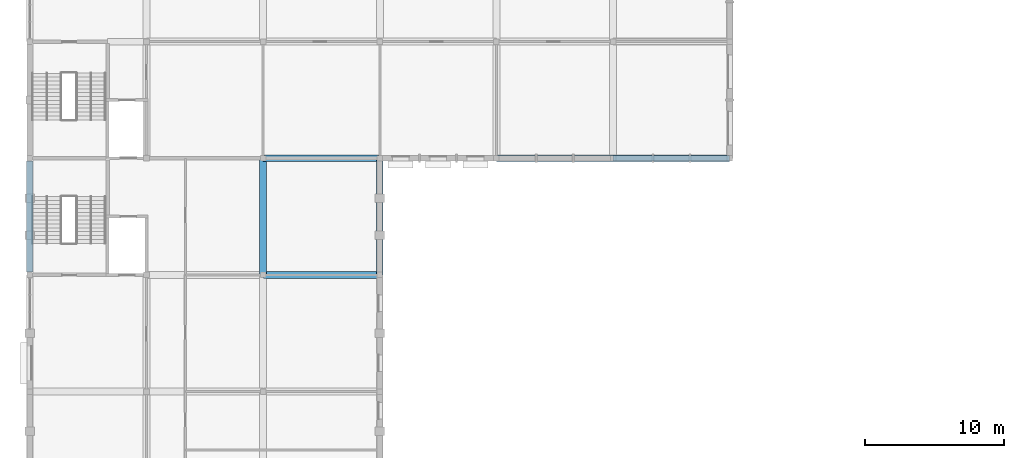
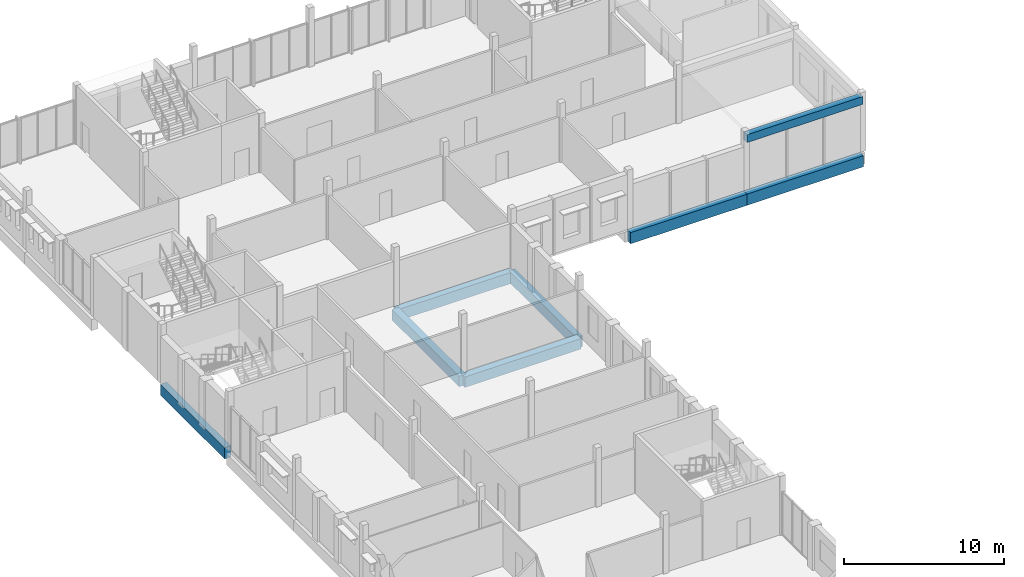
# One storey, part 7 of 22: 8 beams.
"""IFC4 building model written with IfcOpenShell, lengths in metres."""

from ifc_helpers import new_model, si_unit, direction, frame, origin, origin_2d, place, context, subcontext, project, spatial, rectangle, extrude, material, material_profile, profile_set, type_object, element, save


model = new_model("IFC4")

# Units and contexts
model_context = context("Model", 3, precision=1e-05, world=origin(), true_north=direction((0.0, 1.0)))
body_context = subcontext(model_context, "Body", "Model", "MODEL_VIEW")
ifc_project = project(units=[si_unit("LENGTHUNIT", "METRE"), si_unit("AREAUNIT", "SQUARE_METRE"), si_unit("VOLUMEUNIT", "CUBIC_METRE"), si_unit("PLANEANGLEUNIT", "RADIAN"), si_unit("MASSUNIT", "GRAM", prefix="KILO")], contexts=[model_context])

# Site, building, storey
site_placement = place(None, origin())
site = spatial("IfcSite", under=ifc_project, at=site_placement, CompositionType="ELEMENT")
building_placement = place(site_placement, origin())
building = spatial("IfcBuilding", under=site, at=building_placement, Name="Fescue Hill Polytechnic", CompositionType="ELEMENT")
storey_placement = place(building_placement, frame((0.0, 0.0, 27.0)))
storey = spatial("IfcBuildingStorey", under=building, at=storey_placement, Name="L06", CompositionType="ELEMENT", Elevation=27.0)

# Beams
ifc_material = material(Name="Concrete 35 MPa", Category="concrete")
ifc_material_profile_1 = material_profile(ifc_material, rectangle(XDim=0.39990234375, YDim=0.60009765625, at=origin_2d()), Name="RC 400x600")
ifc_profile_set_1 = profile_set([ifc_material_profile_1], Name="Concrete 35 MPa")
beam_type_1 = type_object("IfcBeamType", Name="Beam RC 400x600", PredefinedType="BEAM", material=ifc_profile_set_1)
beam_1_placement = place(storey_placement, frame((42.010009765625, 109.199951171875, 3.89990234375), z_axis=(1.0, 0.0, 0.0), x_axis=(0.0, 1.0, 0.0)))
element("IfcBeam", 1, at=beam_1_placement, inside=storey, type_object=beam_type_1, Name="BR-L06-0001", PredefinedType="BEAM", context=body_context, shape_type="SweptSolid", body=[
    extrude(rectangle(XDim=0.39990234375, YDim=0.60009765625, at=origin_2d()), origin(), (0.0, 0.0, 1.0), 8.3798828125),
])
ifc_material_profile_2 = material_profile(ifc_material, rectangle(XDim=0.449951171875, YDim=0.85009765625, at=origin_2d()), Name="RC 450x850")
ifc_profile_set_2 = profile_set([ifc_material_profile_2], Name="Concrete 35 MPa")
beam_type_2 = type_object("IfcBeamType", Name="Beam RC 450x850", PredefinedType="BEAM", material=ifc_profile_set_2)
for number, where, z_axis, x_axis, name in (
    (2, (16.800048828125, 109.199951171875, -0.72509765625), (1.0, 0.0, 0.0), (0.0, 1.0, 0.0), "BM-L06-0039"),
    (3, (25.199951171875, 100.800048828125, -0.72509765625), (0.0, 1.0, 0.0), (-1.0, 0.0, 0.0), "BM-L06-0055"),
):
    element("IfcBeam", number, at=place(storey_placement, frame(where, z_axis=z_axis, x_axis=x_axis)), inside=storey, type_object=beam_type_2, Name=name, PredefinedType="BEAM", context=body_context, shape_type="SweptSolid", body=[
        extrude(rectangle(XDim=0.449951171875, YDim=0.85009765625, at=origin_2d()), origin(), (0.0, 0.0, 1.0), 8.39990234375),
    ])
for number, where, z_axis, x_axis, name in (
    (4, (33.610107421875, 109.199951171875, -0.72509765625), (1.0, 0.0, 0.0), (0.0, 1.0, 0.0), "BM-L06-0064"),
    (5, (42.010009765625, 109.199951171875, -0.72509765625), (1.0, 0.0, 0.0), (0.0, 1.0, 0.0), "BM-L06-0071"),
):
    element("IfcBeam", number, at=place(storey_placement, frame(where, z_axis=z_axis, x_axis=x_axis)), inside=storey, type_object=beam_type_2, Name=name, PredefinedType="BEAM", context=body_context, shape_type="SweptSolid", body=[
        extrude(rectangle(XDim=0.449951171875, YDim=0.85009765625, at=origin_2d()), origin(), (0.0, 0.0, 1.0), 8.3798828125),
    ])
beam_2_placement = place(storey_placement, frame((0.0, 101.0, -0.425048828125), z_axis=(0.0, 1.0, 0.0), x_axis=(-1.0, 0.0, 0.0)))
element("IfcBeam", 6, at=beam_2_placement, inside=storey, type_object=beam_type_2, Name="BM-L06-0077", PredefinedType="BEAM", context=body_context, shape_type="SweptSolid", body=[
    extrude(rectangle(XDim=0.449951171875, YDim=0.85009765625, at=origin_2d()), origin(), (0.0, 0.0, 1.0), 8.0),
])
ifc_material_profile_3 = material_profile(ifc_material, rectangle(XDim=0.5, YDim=0.800048828125, at=origin_2d()), Name="RC 500x800")
ifc_profile_set_3 = profile_set([ifc_material_profile_3], Name="Concrete 35 MPa")
beam_type_3 = type_object("IfcBeamType", Name="Beam RC 500x800", PredefinedType="BEAM", material=ifc_profile_set_3)
beam_3_placement = place(storey_placement, frame((16.800048828125, 100.800048828125, -0.699951171875), z_axis=(0.0, 1.0, 0.0), x_axis=(-1.0, 0.0, 0.0)))
element("IfcBeam", 7, at=beam_3_placement, inside=storey, type_object=beam_type_3, Name="BM-L06-0038", PredefinedType="BEAM", context=body_context, shape_type="SweptSolid", body=[
    extrude(rectangle(XDim=0.5, YDim=0.800048828125, at=origin_2d()), origin(), (0.0, 0.0, 1.0), 8.39990234375),
])
beam_4_placement = place(storey_placement, frame((16.81005859375, 100.800048828125, -0.699951171875), z_axis=(1.0, 0.0, 0.0), x_axis=(0.0, 1.0, 0.0)))
element("IfcBeam", 8, at=beam_4_placement, inside=storey, type_object=beam_type_3, Name="BM-L06-0048", PredefinedType="BEAM", context=body_context, shape_type="SweptSolid", body=[
    extrude(rectangle(XDim=0.5, YDim=0.800048828125, at=origin_2d()), origin(), (0.0, 0.0, 1.0), 8.3798828125),
])

save(model, "model.ifc")
